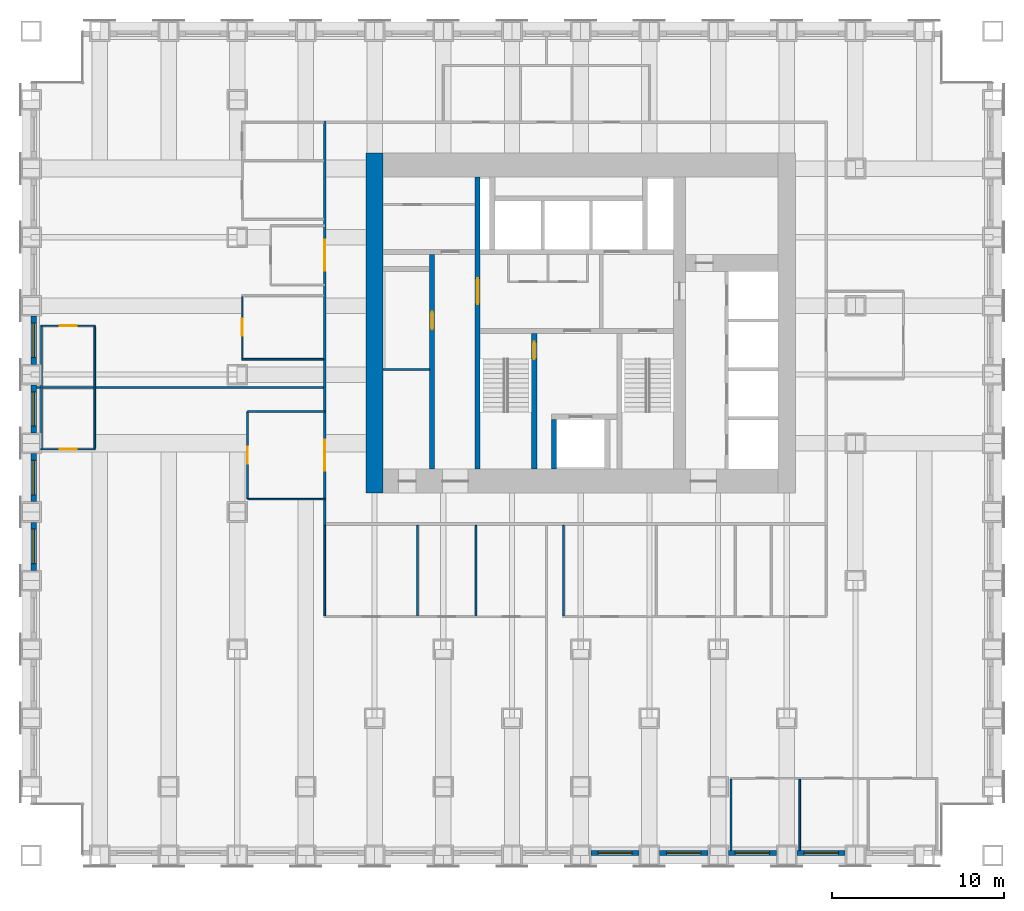
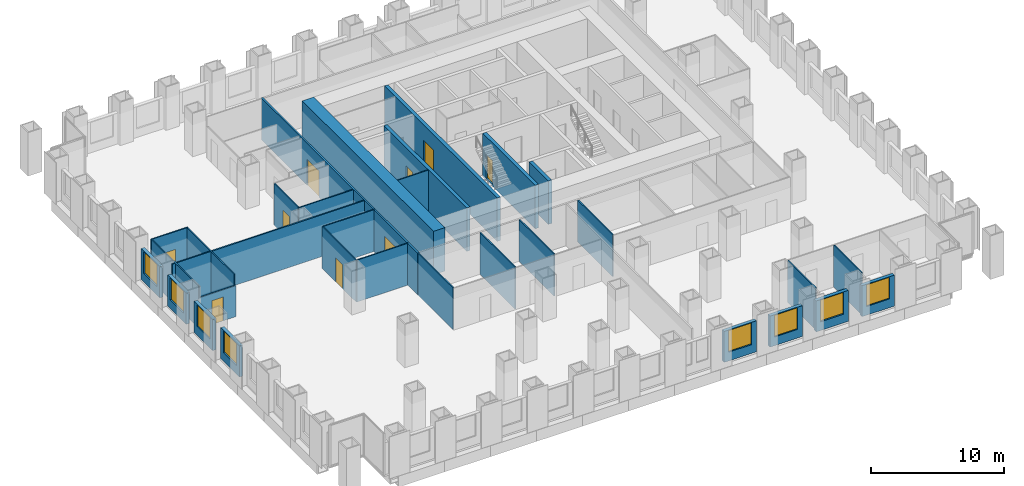
# One storey, part 9 of 15: 31 walls, 9 doors, 8 windows, 17 openings.
"""IFC4 building model written with IfcOpenShell, lengths in metres."""

import ifcopenshell
import ifcopenshell.guid

model = None  # the IFC model being written
_history = None  # IfcOwnerHistory: only IFC2X3 demands one
_inside = {}  # id of a spatial element -> (the spatial element, [elements in it])
_under = {}  # id of a project, library or spatial element -> (it, [spatial elements below it])
_declared = {}  # id of a project -> (the project, [libraries it declares])
_typed = {}  # id of a type object -> (the type object, [elements of that type])
_made_of = {}  # id of a material, layer set ... -> (it, [elements and type objects made of it])


def new_model(schema):
    """Start an empty IFC model of exactly this schema.

    Asked for "IFC4X3", IfcOpenShell would pick the latest addendum, in which some entities
    have other attributes; the version numbers below select the first issue.
    IFC2X3 requires an IfcOwnerHistory on every rooted entity: one is made here for all.
    """
    global model, _history
    if schema == "IFC4X3":
        model = ifcopenshell.file(schema_version=(4, 3, 0, 0))
    else:
        model = ifcopenshell.file(schema=schema)
    _inside.clear()
    _under.clear()
    _declared.clear()
    _typed.clear()
    _made_of.clear()
    _history = None
    if model.schema == "IFC2X3":
        org = make("IfcOrganization", Name="unknown")
        user = make(
            "IfcPersonAndOrganization",
            ThePerson=make("IfcPerson", FamilyName="unknown"),
            TheOrganization=org,
        )
        app = make(
            "IfcApplication",
            ApplicationDeveloper=org,
            Version="unknown",
            ApplicationFullName="unknown",
            ApplicationIdentifier="unknown",
        )
        _history = make(
            "IfcOwnerHistory",
            OwningUser=user,
            OwningApplication=app,
            ChangeAction="ADDED",
            CreationDate=0,
        )
    return model


def make(cls, **values):
    """One entity of the class cls with the attributes given. An attribute that is None is left unset."""
    return model.create_entity(
        cls, **{name: value for name, value in values.items() if value is not None}
    )


def rooted(cls, **values):
    """An entity with a GlobalId (a new one), such as an element, a storey or a relation."""
    return make(cls, GlobalId=ifcopenshell.guid.new(), OwnerHistory=_history, **values)


def si_unit(unit_type, name, prefix=None):
    """IfcSIUnit, for example si_unit("LENGTHUNIT", "METRE", prefix="MILLI")."""
    return make("IfcSIUnit", UnitType=unit_type, Prefix=prefix, Name=name)


def assignment(units):
    """IfcUnitAssignment: the units of a project."""
    return None if units is None else make("IfcUnitAssignment", Units=units)


def point(xyz):
    """IfcCartesianPoint."""
    return None if xyz is None else make("IfcCartesianPoint", Coordinates=xyz)


def direction(xyz):
    """IfcDirection."""
    return None if xyz is None else make("IfcDirection", DirectionRatios=xyz)


def frame(location, z_axis=None, x_axis=None):
    """IfcAxis2Placement3D, a coordinate frame: its origin and axes. An axis left out is left unset."""
    return make(
        "IfcAxis2Placement3D",
        Location=point(location),
        Axis=direction(z_axis),
        RefDirection=direction(x_axis),
    )


def frame_2d(location, x_axis=None):
    """IfcAxis2Placement2D, a coordinate frame in the plane: its origin and x axis."""
    return make(
        "IfcAxis2Placement2D", Location=point(location), RefDirection=direction(x_axis)
    )


def origin():
    """The frame at (0, 0, 0) with its axes left unset."""
    return frame((0.0, 0.0, 0.0))


def place(relative_to, where):
    """IfcLocalPlacement: puts the frame where relative to a parent placement (None: the world)."""
    return make(
        "IfcLocalPlacement", PlacementRelTo=relative_to, RelativePlacement=where
    )


def context(
    kind, dimensions, precision=None, world=None, true_north=None, identifier=None
):
    """IfcGeometricRepresentationContext, for example the 3D "Model" context."""
    return make(
        "IfcGeometricRepresentationContext",
        ContextIdentifier=identifier,
        ContextType=kind,
        CoordinateSpaceDimension=dimensions,
        Precision=precision,
        WorldCoordinateSystem=world,
        TrueNorth=true_north,
    )


def subcontext(parent, identifier, kind, view, scale=None):
    """IfcGeometricRepresentationSubContext, for example "Body" below "Model"."""
    return make(
        "IfcGeometricRepresentationSubContext",
        ContextIdentifier=identifier,
        ContextType=kind,
        ParentContext=parent,
        TargetScale=scale,
        TargetView=view,
    )


def project(units=None, contexts=None):
    """IfcProject with its units and contexts."""
    return rooted(
        "IfcProject",
        Name="project",
        RepresentationContexts=contexts,
        UnitsInContext=assignment(units),
    )


def spatial(cls, under=None, at=None, **own):
    """A site, building, storey or space (cls), placed at a placement, below another one or the project."""
    s = rooted(cls, ObjectPlacement=at, **own)
    if under is not None:
        _under.setdefault(under.id(), (under, []))[1].append(s)
    return s


def profile(cls, at=None, kind="AREA", **sizes):
    """A parametric profile (cls). Its sizes go by their IFC names, for example OverallWidth=200.0."""
    return make(cls, ProfileType=kind, Position=at, **sizes)


def rectangle(**sizes):
    """IfcRectangleProfileDef."""
    return profile("IfcRectangleProfileDef", **sizes)


def extrude(swept, where, along, depth):
    """IfcExtrudedAreaSolid: the profile swept, set in the frame where, extruded along a direction by depth."""
    return make(
        "IfcExtrudedAreaSolid",
        SweptArea=swept,
        Position=where,
        ExtrudedDirection=direction(along),
        Depth=depth,
    )


def shape(context_of_items, identifier, shape_type, items):
    """IfcShapeRepresentation: the items that make up one representation, for example the "Body"."""
    return make(
        "IfcShapeRepresentation",
        ContextOfItems=context_of_items,
        RepresentationIdentifier=identifier,
        RepresentationType=shape_type,
        Items=items,
    )


def material(Name=None, Category=None):
    """IfcMaterial."""
    return make("IfcMaterial", Name=Name, Category=Category)


def layer(
    of_material, thickness, ventilated=None, Name=None, Category=None, Priority=None
):
    """IfcMaterialLayer: one layer of a wall or slab, of a material (None: an air gap)."""
    return make(
        "IfcMaterialLayer",
        Material=of_material,
        LayerThickness=thickness,
        IsVentilated=ventilated,
        Name=Name,
        Category=Category,
        Priority=Priority,
    )


def layer_set(layers, Name=None):
    """IfcMaterialLayerSet."""
    return make("IfcMaterialLayerSet", MaterialLayers=layers, LayerSetName=Name)


def made_of(thing, what):
    """Note that an element or type object is made of a material, layer set ...; save() writes the relation."""
    if what is not None:
        _made_of.setdefault(what.id(), (what, []))[1].append(thing)
    return thing


def type_object(cls, material=None, **own):
    """A type object (cls), such as IfcWallType, which elements share."""
    return made_of(rooted(cls, **own), material)


def element(
    cls,
    number,
    at=None,
    inside=None,
    cuts=None,
    type_object=None,
    material=None,
    context=None,
    identifier="Body",
    shape_type=None,
    held_by="IfcProductDefinitionShape",
    body=None,
    shapes=None,
    **own,
):
    """One element of the class cls, such as IfcWall. Its Tag is "e" and its number.

    at: its placement. inside: the storey or other place that contains it. cuts: it is an
    opening in that element (IfcRelVoidsElement). A single representation is given by context,
    identifier, shape_type and body (its items); several are given by shapes. held_by: the class
    of the entity that holds the representations. save() writes the other relations.
    """
    e = rooted(cls, Tag="e%d" % number, ObjectPlacement=at, **own)
    if body is not None:
        shapes = [shape(context, identifier, shape_type, body)]
    if shapes is not None:
        e.Representation = make(held_by, Representations=shapes)
    if inside is not None:
        _inside.setdefault(inside.id(), (inside, []))[1].append(e)
    if cuts is not None:
        rooted(
            "IfcRelVoidsElement", RelatingBuildingElement=cuts, RelatedOpeningElement=e
        )
    if type_object is not None:
        _typed.setdefault(type_object.id(), (type_object, []))[1].append(e)
    return made_of(e, material)


def fill(opening, filler):
    """IfcRelFillsElement: the door or window that sits in an opening."""
    return rooted(
        "IfcRelFillsElement",
        RelatingOpeningElement=opening,
        RelatedBuildingElement=filler,
    )


def aggregate(whole, parts):
    """IfcRelAggregates: a whole, such as a stair, and the parts it consists of."""
    return rooted("IfcRelAggregates", RelatingObject=whole, RelatedObjects=parts)


def save(model, path):
    """Write the relations noted so far, then the file.

    IfcRelAggregates (storeys below a building ...), IfcRelContainedInSpatialStructure (elements
    in a storey), IfcRelDefinesByType, IfcRelAssociatesMaterial and IfcRelDeclares: one each for
    every whole, place, type object, material and project.
    """
    for whole, parts in _under.values():
        aggregate(whole, parts)
    for where, things in _inside.values():
        rooted(
            "IfcRelContainedInSpatialStructure",
            RelatedElements=things,
            RelatingStructure=where,
        )
    for kind, things in _typed.values():
        rooted("IfcRelDefinesByType", RelatedObjects=things, RelatingType=kind)
    for what, things in _made_of.values():
        rooted("IfcRelAssociatesMaterial", RelatedObjects=things, RelatingMaterial=what)
    for by, libraries in _declared.values():
        rooted("IfcRelDeclares", RelatingContext=by, RelatedDefinitions=libraries)
    model.write(path)


model = new_model("IFC4")

# Units and contexts
model_context = context("Model", 3, precision=1e-05, world=origin(), true_north=direction((0.0, 1.0)))
body_context = subcontext(model_context, "Body", "Model", "MODEL_VIEW")
ifc_project = project(units=[si_unit("LENGTHUNIT", "METRE"), si_unit("AREAUNIT", "SQUARE_METRE"), si_unit("VOLUMEUNIT", "CUBIC_METRE"), si_unit("PLANEANGLEUNIT", "RADIAN"), si_unit("MASSUNIT", "GRAM", prefix="KILO")], contexts=[model_context])

# Site, building, storey
site_placement = place(None, origin())
site = spatial("IfcSite", under=ifc_project, at=site_placement, CompositionType="ELEMENT")
building_placement = place(site_placement, origin())
building = spatial("IfcBuilding", under=site, at=building_placement, Name="Rimbunsela Tower", CompositionType="ELEMENT")
storey_placement = place(building_placement, frame((0.0, 0.0, 27.0)))
storey = spatial("IfcBuildingStorey", under=building, at=storey_placement, Name="L06", CompositionType="ELEMENT", Elevation=27.0)

# Wall, opening, door
ifc_material_1 = material(Name="Concrete fc' 80 MPa", Category="concrete")
ifc_layer_1 = layer(ifc_material_1, 0.300048828125)
ifc_layer_set_1 = layer_set([ifc_layer_1], Name="Core internal wall 300")
wall_type_1 = type_object("IfcWallType", Name="Core internal wall 300", PredefinedType="SHEAR", material=ifc_layer_set_1)
wall_1_placement = place(storey_placement, frame((24.0, 18.5, -0.14990234375), z_axis=(0.0, 0.0, 1.0), x_axis=(0.0, 1.0, 0.0)))
wall_1 = element("IfcWall", 1, at=wall_1_placement, inside=storey, type_object=wall_type_1, Name="Core wall at stair A", PredefinedType="SHEAR", context=body_context, shape_type="SweptSolid", body=[
    extrude(rectangle(XDim=17.0, YDim=0.300048828125, at=frame_2d((8.5, 0.0))), origin(), (0.0, 0.0, 1.0), 4.0),
])
opening_1_placement = place(wall_1_placement, frame((9.60009765625, 0.0, 0.14990234375)))
opening_1 = element("IfcOpeningElement", 2, at=opening_1_placement, cuts=wall_1, Name="Opening D03", PredefinedType="OPENING", context=body_context, shape_type="SweptSolid", body=[
    extrude(rectangle(XDim=1.5, YDim=2.39990234375, at=frame_2d((0.75, 1.199951171875))), frame((0.0, 0.159912109375, 0.0), z_axis=(0.0, -1.0, 0.0), x_axis=(1.0, 0.0, 0.0)), (0.0, 0.0, 1.0), 0.320068359375),
])
ifc_material_2 = material(Name="Steel door, fire rated", Category="steel")
door_type_1 = type_object("IfcDoorType", Name="Core lobby door 1500", OperationType="DOUBLE_DOOR_DOUBLE_SWING", PredefinedType="DOOR", material=ifc_material_2)
door_1_placement = place(opening_1_placement, origin())
door_1 = element("IfcDoor", 3, at=door_1_placement, inside=storey, type_object=door_type_1, Name="West lobby door", OperationType="DOUBLE_DOOR_DOUBLE_SWING", OverallHeight=2.39990234375, OverallWidth=1.5, PredefinedType="DOOR", context=body_context, shape_type="SweptSolid", body=[
    extrude(rectangle(XDim=1.5, YDim=2.39990234375, at=frame_2d((0.75, 1.199951171875))), frame((0.0, 0.02490234375, 0.0), z_axis=(0.0, -1.0, 0.0), x_axis=(1.0, 0.0, 0.0)), (0.0, 0.0, 1.0), 0.050048828125),
])
fill(opening_1, door_1)

wall_2_placement = place(storey_placement, frame((27.300048828125, 18.5, -0.14990234375), z_axis=(0.0, 0.0, 1.0), x_axis=(0.0, 1.0, 0.0)))
wall_2 = element("IfcWall", 4, at=wall_2_placement, inside=storey, type_object=wall_type_1, Name="Stair A enclosure", PredefinedType="SHEAR", context=body_context, shape_type="SweptSolid", body=[
    extrude(rectangle(XDim=7.89990234375, YDim=0.300048828125, at=frame_2d((3.949951171875, 0.0))), origin(), (0.0, 0.0, 1.0), 4.0),
])
opening_2_placement = place(wall_2_placement, frame((6.39990234375, 0.0, 0.14990234375)))
opening_2 = element("IfcOpeningElement", 5, at=opening_2_placement, cuts=wall_2, Name="Opening D01", PredefinedType="OPENING", context=body_context, shape_type="SweptSolid", body=[
    extrude(rectangle(XDim=1.0, YDim=2.199951171875, at=frame_2d((0.5, 1.10009765625))), frame((0.0, 0.159912109375, 0.0), z_axis=(0.0, -1.0, 0.0), x_axis=(1.0, 0.0, 0.0)), (0.0, 0.0, 1.0), 0.320068359375),
])
ifc_material_3 = material(Name="Steel door, fire rated", Category="steel")
door_type_2 = type_object("IfcDoorType", Name="Stair door 1000", OperationType="SINGLE_SWING_RIGHT", PredefinedType="DOOR", material=ifc_material_3)
door_2_placement = place(opening_2_placement, origin())
door_2 = element("IfcDoor", 6, at=door_2_placement, inside=storey, type_object=door_type_2, Name="Stair A door", OperationType="SINGLE_SWING_RIGHT", OverallHeight=2.199951171875, OverallWidth=1.0, PredefinedType="DOOR", context=body_context, shape_type="SweptSolid", body=[
    extrude(rectangle(XDim=1.0, YDim=2.199951171875, at=frame_2d((0.5, 1.10009765625))), frame((0.0, 0.02490234375, 0.0), z_axis=(0.0, -1.0, 0.0), x_axis=(1.0, 0.0, 0.0)), (0.0, 0.0, 1.0), 0.050048828125),
])
fill(opening_2, door_2)

# Wall
wall_3_placement = place(storey_placement, frame((28.449951171875, 18.5, -0.14990234375), z_axis=(0.0, 0.0, 1.0), x_axis=(0.0, 1.0, 0.0)))
element("IfcWall", 7, at=wall_3_placement, inside=storey, type_object=wall_type_1, Name="Firefighting lift shaft west", PredefinedType="SHEAR", context=body_context, shape_type="SweptSolid", body=[
    extrude(rectangle(XDim=2.89990234375, YDim=0.300048828125, at=frame_2d((1.449951171875, 0.0))), origin(), (0.0, 0.0, 1.0), 4.0),
])

# Wall, opening, door
wall_4_placement = place(storey_placement, frame((21.35009765625, 18.5, -0.14990234375), z_axis=(0.0, 0.0, 1.0), x_axis=(0.0, 1.0, 0.0)))
wall_4 = element("IfcWall", 8, at=wall_4_placement, inside=storey, type_object=wall_type_1, Name="Lift shaft front west", PredefinedType="SHEAR", context=body_context, shape_type="SweptSolid", body=[
    extrude(rectangle(XDim=12.5, YDim=0.300048828125, at=frame_2d((6.25, 0.0))), origin(), (0.0, 0.0, 1.0), 4.0),
])
opening_3_placement = place(wall_4_placement, frame((8.14990234375, 0.0, 0.14990234375)))
opening_3 = element("IfcOpeningElement", 9, at=opening_3_placement, cuts=wall_4, Name="Opening D19", PredefinedType="OPENING", context=body_context, shape_type="SweptSolid", body=[
    extrude(rectangle(XDim=1.0, YDim=2.199951171875, at=frame_2d((0.5, 1.10009765625))), frame((0.0, 0.159912109375, 0.0), z_axis=(0.0, -1.0, 0.0), x_axis=(1.0, 0.0, 0.0)), (0.0, 0.0, 1.0), 0.320068359375),
])
ifc_material_4 = material(Name="Steel door, fire rated", Category="steel")
door_type_3 = type_object("IfcDoorType", Name="Service door 1000 fire rated", OperationType="SINGLE_SWING_LEFT", PredefinedType="DOOR", material=ifc_material_4)
door_3_placement = place(opening_3_placement, origin())
door_3 = element("IfcDoor", 10, at=door_3_placement, inside=storey, type_object=door_type_3, Name="IT room door", OperationType="SINGLE_SWING_LEFT", OverallHeight=2.199951171875, OverallWidth=1.0, PredefinedType="DOOR", context=body_context, shape_type="SweptSolid", body=[
    extrude(rectangle(XDim=1.0, YDim=2.199951171875, at=frame_2d((0.5, 1.10009765625))), frame((0.0, 0.02490234375, 0.0), z_axis=(0.0, -1.0, 0.0), x_axis=(1.0, 0.0, 0.0)), (0.0, 0.0, 1.0), 0.050048828125),
])
fill(opening_3, door_3)

# Walls
ifc_material_5 = material(Name="Concrete blockwork", Category="masonry")
ifc_layer_2 = layer(ifc_material_5, 0.10009765625)
ifc_layer_set_2 = layer_set([ifc_layer_2], Name="Core room partition 100")
wall_type_2 = type_object("IfcWallType", Name="Core room partition 100", PredefinedType="PARTITIONING", material=ifc_layer_set_2)
wall_5_placement = place(storey_placement, frame((18.5, 24.300048828125, 0.0), z_axis=(0.0, 0.0, 1.0), x_axis=(1.0, 0.0, 0.0)))
element("IfcWall", 11, at=wall_5_placement, inside=storey, type_object=wall_type_2, Name="IT room wall", PredefinedType="PARTITIONING", context=body_context, shape_type="SweptSolid", body=[
    extrude(rectangle(XDim=2.699951171875, YDim=0.10009765625, at=frame_2d((1.35009765625, 0.0))), origin(), (0.0, 0.0, 1.0), 3.85009765625),
])
ifc_material_6 = material(Name="Concrete fc' 80 MPa", Category="concrete")
ifc_layer_3 = layer(ifc_material_6, 1.0)
ifc_layer_set_3 = layer_set([ifc_layer_3], Name="Core wall 1000")
wall_type_3 = type_object("IfcWallType", Name="Core wall 1000", PredefinedType="SHEAR", material=ifc_layer_set_3)
wall_6_placement = place(storey_placement, frame((18.0, 17.10009765625, -0.14990234375), z_axis=(0.0, 0.0, 1.0), x_axis=(0.0, 1.0, 0.0)))
element("IfcWall", 12, at=wall_6_placement, inside=storey, type_object=wall_type_3, Name="Core wall west", PredefinedType="SHEAR", context=body_context, shape_type="SweptSolid", body=[
    extrude(rectangle(XDim=19.7998046875, YDim=1.0, at=frame_2d((9.89990234375, 0.0))), origin(), (0.0, 0.0, 1.0), 4.0),
])

# Wall, opening, door
ifc_material_7 = material(Name="Gypsum board on steel studs", Category="steel")
ifc_layer_4 = layer(ifc_material_7, 0.10009765625)
ifc_layer_set_4 = layer_set([ifc_layer_4], Name="Office partition 100")
wall_type_4 = type_object("IfcWallType", Name="Office partition 100", PredefinedType="PARTITIONING", material=ifc_layer_set_4)
wall_7_placement = place(storey_placement, frame((-1.449951171875, 19.64990234375, 0.0), z_axis=(0.0, 0.0, 1.0), x_axis=(1.0, 0.0, 0.0)))
wall_7 = element("IfcWall", 13, at=wall_7_placement, inside=storey, type_object=wall_type_4, Name="Office partition", PredefinedType="PARTITIONING", context=body_context, shape_type="SweptSolid", body=[
    extrude(rectangle(XDim=3.199951171875, YDim=0.10009765625, at=frame_2d((1.60009765625, 0.0))), origin(), (0.0, 0.0, 1.0), 2.85009765625),
])
opening_4_placement = place(wall_7_placement, frame((1.10009765625, 0.0, 0.0)))
opening_4 = element("IfcOpeningElement", 14, at=opening_4_placement, cuts=wall_7, Name="Opening D16", PredefinedType="OPENING", context=body_context, shape_type="SweptSolid", body=[
    extrude(rectangle(XDim=1.0, YDim=2.199951171875, at=frame_2d((0.5, 1.10009765625))), frame((0.0, 0.06005859375, 0.0), z_axis=(0.0, -1.0, 0.0), x_axis=(1.0, 0.0, 0.0)), (0.0, 0.0, 1.0), 0.1201171875),
])
ifc_material_8 = material(Name="Timber door", Category="wood")
door_type_4 = type_object("IfcDoorType", Name="Office door 1000", OperationType="SINGLE_SWING_LEFT", PredefinedType="DOOR", material=ifc_material_8)
door_4_placement = place(opening_4_placement, origin())
door_4 = element("IfcDoor", 15, at=door_4_placement, inside=storey, type_object=door_type_4, Name="Office door", OperationType="SINGLE_SWING_LEFT", OverallHeight=2.199951171875, OverallWidth=1.0, PredefinedType="DOOR", context=body_context, shape_type="SweptSolid", body=[
    extrude(rectangle(XDim=1.0, YDim=2.199951171875, at=frame_2d((0.5, 1.10009765625))), frame((0.0, 0.02490234375, 0.0), z_axis=(0.0, -1.0, 0.0), x_axis=(1.0, 0.0, 0.0)), (0.0, 0.0, 1.0), 0.050048828125),
])
fill(opening_4, door_4)

# Wall
wall_8_placement = place(storey_placement, frame((10.25, 24.89990234375, 0.0), z_axis=(0.0, 0.0, 1.0), x_axis=(1.0, 0.0, 0.0)))
element("IfcWall", 16, at=wall_8_placement, inside=storey, type_object=wall_type_4, Name="Office partition", PredefinedType="PARTITIONING", context=body_context, shape_type="SweptSolid", body=[
    extrude(rectangle(XDim=4.77490234375, YDim=0.10009765625, at=frame_2d((2.387451171875, 0.0))), origin(), (0.0, 0.0, 1.0), 3.85009765625),
])

# Wall, opening, door
wall_9_placement = place(storey_placement, frame((-1.449951171875, 26.85009765625, 0.0), z_axis=(0.0, 0.0, 1.0), x_axis=(1.0, 0.0, 0.0)))
wall_9 = element("IfcWall", 17, at=wall_9_placement, inside=storey, type_object=wall_type_4, Name="Office partition", PredefinedType="PARTITIONING", context=body_context, shape_type="SweptSolid", body=[
    extrude(rectangle(XDim=3.199951171875, YDim=0.10009765625, at=frame_2d((1.60009765625, 0.0))), origin(), (0.0, 0.0, 1.0), 3.85009765625),
])
opening_5_placement = place(wall_9_placement, frame((1.10009765625, 0.0, 0.0)))
opening_5 = element("IfcOpeningElement", 18, at=opening_5_placement, cuts=wall_9, Name="Opening D16", PredefinedType="OPENING", context=body_context, shape_type="SweptSolid", body=[
    extrude(rectangle(XDim=1.0, YDim=2.199951171875, at=frame_2d((0.5, 1.10009765625))), frame((0.0, 0.06005859375, 0.0), z_axis=(0.0, -1.0, 0.0), x_axis=(1.0, 0.0, 0.0)), (0.0, 0.0, 1.0), 0.1201171875),
])
door_5_placement = place(opening_5_placement, origin())
door_5 = element("IfcDoor", 19, at=door_5_placement, inside=storey, type_object=door_type_4, Name="Office door", OperationType="SINGLE_SWING_LEFT", OverallHeight=2.199951171875, OverallWidth=1.0, PredefinedType="DOOR", context=body_context, shape_type="SweptSolid", body=[
    extrude(rectangle(XDim=1.0, YDim=2.199951171875, at=frame_2d((0.5, 1.10009765625))), frame((0.0, 0.02490234375, 0.0), z_axis=(0.0, -1.0, 0.0), x_axis=(1.0, 0.0, 0.0)), (0.0, 0.0, 1.0), 0.050048828125),
])
fill(opening_5, door_5)

# Walls
for number, where, z_axis, x_axis, name in (
    (20, (-1.39990234375, 19.699951171875, 0.0), (0.0, 0.0, 1.0), (0.0, 1.0, 0.0), "Office partition"),
    (21, (1.699951171875, 19.699951171875, 0.0), (0.0, 0.0, 1.0), (0.0, 1.0, 0.0), "Office partition"),
):
    element("IfcWall", number, at=place(storey_placement, frame(where, z_axis=z_axis, x_axis=x_axis)), inside=storey, type_object=wall_type_4, Name=name, PredefinedType="PARTITIONING", context=body_context, shape_type="SweptSolid", body=[
        extrude(rectangle(XDim=7.10009765625, YDim=0.10009765625, at=frame_2d((3.550048828125, 0.0))), origin(), (0.0, 0.0, 1.0), 3.85009765625),
    ])

# Wall, opening, door
wall_10_placement = place(storey_placement, frame((10.300048828125, 24.949951171875, 0.0), z_axis=(0.0, 0.0, 1.0), x_axis=(0.0, 1.0, 0.0)))
wall_10 = element("IfcWall", 22, at=wall_10_placement, inside=storey, type_object=wall_type_4, Name="Office partition", PredefinedType="PARTITIONING", context=body_context, shape_type="SweptSolid", body=[
    extrude(rectangle(XDim=3.60009765625, YDim=0.10009765625, at=frame_2d((1.800048828125, 0.0))), origin(), (0.0, 0.0, 1.0), 3.85009765625),
])
opening_6_placement = place(wall_10_placement, frame((1.300048828125, 0.0, 0.0)))
opening_6 = element("IfcOpeningElement", 23, at=opening_6_placement, cuts=wall_10, Name="Opening D17", PredefinedType="OPENING", context=body_context, shape_type="SweptSolid", body=[
    extrude(rectangle(XDim=1.0, YDim=2.199951171875, at=frame_2d((0.5, 1.10009765625))), frame((0.0, 0.06005859375, 0.0), z_axis=(0.0, -1.0, 0.0), x_axis=(1.0, 0.0, 0.0)), (0.0, 0.0, 1.0), 0.1201171875),
])
ifc_material_9 = material(Name="Glazed aluminium door", Category="aluminium")
door_type_5 = type_object("IfcDoorType", Name="Meeting room door 1000 glazed", OperationType="SINGLE_SWING_RIGHT", PredefinedType="DOOR", material=ifc_material_9)
door_6_placement = place(opening_6_placement, origin())
door_6 = element("IfcDoor", 24, at=door_6_placement, inside=storey, type_object=door_type_5, Name="Meeting room door", OperationType="SINGLE_SWING_RIGHT", OverallHeight=2.199951171875, OverallWidth=1.0, PredefinedType="DOOR", context=body_context, shape_type="SweptSolid", body=[
    extrude(rectangle(XDim=1.0, YDim=2.199951171875, at=frame_2d((0.5, 1.10009765625))), frame((0.0, 0.02490234375, 0.0), z_axis=(0.0, -1.0, 0.0), x_axis=(1.0, 0.0, 0.0)), (0.0, 0.0, 1.0), 0.050048828125),
])
fill(opening_6, door_6)

# Walls
for number, where, z_axis, x_axis, name in (
    (25, (15.10009765625, 9.949951171875, 0.0), (0.0, 0.0, 1.0), (0.0, 1.0, 0.0), "Office partition"),
    (26, (20.5, 9.949951171875, 0.0), (0.0, 0.0, 1.0), (0.0, 1.0, 0.0), "Office partition"),
    (27, (23.89990234375, 9.949951171875, 0.0), (0.0, 0.0, 1.0), (0.0, 1.0, 0.0), "Office partition"),
    (28, (28.9990234375, 9.949951171875, 0.0), (0.0, 0.0, 1.0), (0.0, 1.0, 0.0), "Office partition"),
):
    element("IfcWall", number, at=place(storey_placement, frame(where, z_axis=z_axis, x_axis=x_axis)), inside=storey, type_object=wall_type_4, Name=name, PredefinedType="PARTITIONING", context=body_context, shape_type="SweptSolid", body=[
        extrude(rectangle(XDim=5.275146484375, YDim=0.10009765625, at=frame_2d((2.6376953125, 0.0))), origin(), (0.0, 0.0, 1.0), 3.85009765625),
    ])
for number, where, z_axis, x_axis, name in (
    (29, (38.75, -3.699951171875, 0.0), (0.0, 0.0, 1.0), (0.0, 1.0, 0.0), "Office partition"),
    (30, (42.75, -3.699951171875, 0.0), (0.0, 0.0, 1.0), (0.0, 1.0, 0.0), "Office partition"),
):
    element("IfcWall", number, at=place(storey_placement, frame(where, z_axis=z_axis, x_axis=x_axis)), inside=storey, type_object=wall_type_4, Name=name, PredefinedType="PARTITIONING", context=body_context, shape_type="SweptSolid", body=[
        extrude(rectangle(XDim=4.14990234375, YDim=0.10009765625, at=frame_2d((2.074951171875, 0.0))), origin(), (0.0, 0.0, 1.0), 3.85009765625),
    ])
wall_11_placement = place(storey_placement, frame((15.10009765625, 21.85009765625, 0.0), z_axis=(0.0, 0.0, 1.0), x_axis=(-1.0, 0.0, 0.0)))
element("IfcWall", 31, at=wall_11_placement, inside=storey, type_object=wall_type_4, Name="Office partition", PredefinedType="PARTITIONING", context=body_context, shape_type="SweptSolid", body=[
    extrude(rectangle(XDim=4.5, YDim=0.10009765625, at=frame_2d((2.25, 0.0))), origin(), (0.0, 0.0, 1.0), 3.85009765625),
])

# Wall, opening, door
wall_12_placement = place(storey_placement, frame((10.60009765625, 21.85009765625, 0.0), z_axis=(0.0, 0.0, 1.0), x_axis=(0.0, -1.0, 0.0)))
wall_12 = element("IfcWall", 32, at=wall_12_placement, inside=storey, type_object=wall_type_4, Name="Office partition", PredefinedType="PARTITIONING", context=body_context, shape_type="SweptSolid", body=[
    extrude(rectangle(XDim=5.10009765625, YDim=0.10009765625, at=frame_2d((2.550048828125, 0.0))), origin(), (0.0, 0.0, 1.0), 3.85009765625),
])
opening_7_placement = place(wall_12_placement, frame((2.050048828125, 0.0, 0.0)))
opening_7 = element("IfcOpeningElement", 33, at=opening_7_placement, cuts=wall_12, Name="Opening D17", PredefinedType="OPENING", context=body_context, shape_type="SweptSolid", body=[
    extrude(rectangle(XDim=1.0, YDim=2.199951171875, at=frame_2d((0.5, 1.10009765625))), frame((0.0, 0.06005859375, 0.0), z_axis=(0.0, -1.0, 0.0), x_axis=(1.0, 0.0, 0.0)), (0.0, 0.0, 1.0), 0.1201171875),
])
door_7_placement = place(opening_7_placement, origin())
door_7 = element("IfcDoor", 34, at=door_7_placement, inside=storey, type_object=door_type_5, Name="Reception door", OperationType="SINGLE_SWING_RIGHT", OverallHeight=2.199951171875, OverallWidth=1.0, PredefinedType="DOOR", context=body_context, shape_type="SweptSolid", body=[
    extrude(rectangle(XDim=1.0, YDim=2.199951171875, at=frame_2d((0.5, 1.10009765625))), frame((0.0, 0.02490234375, 0.0), z_axis=(0.0, -1.0, 0.0), x_axis=(1.0, 0.0, 0.0)), (0.0, 0.0, 1.0), 0.050048828125),
])
fill(opening_7, door_7)

# Wall
wall_13_placement = place(storey_placement, frame((10.60009765625, 16.75, 0.0), z_axis=(0.0, 0.0, 1.0), x_axis=(1.0, 0.0, 0.0)))
element("IfcWall", 35, at=wall_13_placement, inside=storey, type_object=wall_type_4, Name="Office partition", PredefinedType="PARTITIONING", context=body_context, shape_type="SweptSolid", body=[
    extrude(rectangle(XDim=4.5, YDim=0.10009765625, at=frame_2d((2.25, 0.0))), origin(), (0.0, 0.0, 1.0), 3.85009765625),
])

# Wall, opening, window
ifc_material_10 = material(Name="Precast concrete fc' 35 MPa", Category="concrete")
ifc_layer_5 = layer(ifc_material_10, 0.300048828125)
ifc_layer_set_5 = layer_set([ifc_layer_5], Name="Precast concrete fc' 35 MPa")
wall_type_5 = type_object("IfcWallType", Name="Precast facade panel 300", PredefinedType="ELEMENTEDWALL", material=ifc_layer_set_5)
wall_14_placement = place(storey_placement, frame((30.60009765625, -3.85009765625, 0.0), z_axis=(0.0, 0.0, 1.0), x_axis=(1.0, 0.0, 0.0)))
wall_14 = element("IfcWall", 36, at=wall_14_placement, inside=storey, type_object=wall_type_5, Name="Facade panel S L06", PredefinedType="ELEMENTEDWALL", context=body_context, shape_type="SweptSolid", body=[
    extrude(rectangle(XDim=2.7998046875, YDim=0.300048828125, at=frame_2d((1.39990234375, 0.0))), origin(), (0.0, 0.0, 1.0), 2.85009765625),
])
opening_8_placement = place(wall_14_placement, frame((0.39990234375, 0.0, 0.800048828125)))
opening_8 = element("IfcOpeningElement", 37, at=opening_8_placement, cuts=wall_14, Name="Opening W1", PredefinedType="OPENING", context=body_context, shape_type="SweptSolid", body=[
    extrude(rectangle(XDim=2.0, YDim=2.0, at=frame_2d((1.0, 1.0))), frame((0.0, 0.159912109375, 0.0), z_axis=(0.0, -1.0, 0.0), x_axis=(1.0, 0.0, 0.0)), (0.0, 0.0, 1.0), 0.320068359375),
])
ifc_material_11 = material(Name="Clear glass in aluminium frame", Category="aluminium")
window_type = type_object("IfcWindowType", Name="Window W1 2000x2000", PartitioningType="DOUBLE_PANEL_VERTICAL", PredefinedType="WINDOW", material=ifc_material_11)
window_1_placement = place(opening_8_placement, origin())
window_1 = element("IfcWindow", 38, at=window_1_placement, inside=storey, type_object=window_type, Name="Window L06", OverallHeight=2.0, OverallWidth=2.0, PartitioningType="SINGLE_PANEL", PredefinedType="WINDOW", context=body_context, shape_type="SweptSolid", body=[
    extrude(rectangle(XDim=2.0, YDim=2.0, at=frame_2d((1.0, 1.0))), frame((0.0, 0.030029296875, 0.0), z_axis=(0.0, -1.0, 0.0), x_axis=(1.0, 0.0, 0.0)), (0.0, 0.0, 1.0), 0.06005859375),
])
fill(opening_8, window_1)

wall_15_placement = place(storey_placement, frame((34.60009765625, -3.85009765625, 0.0), z_axis=(0.0, 0.0, 1.0), x_axis=(1.0, 0.0, 0.0)))
wall_15 = element("IfcWall", 39, at=wall_15_placement, inside=storey, type_object=wall_type_5, Name="Facade panel S L06", PredefinedType="ELEMENTEDWALL", context=body_context, shape_type="SweptSolid", body=[
    extrude(rectangle(XDim=2.7998046875, YDim=0.300048828125, at=frame_2d((1.39990234375, 0.0))), origin(), (0.0, 0.0, 1.0), 2.85009765625),
])
opening_9_placement = place(wall_15_placement, frame((0.39990234375, 0.0, 0.800048828125)))
opening_9 = element("IfcOpeningElement", 40, at=opening_9_placement, cuts=wall_15, Name="Opening W1", PredefinedType="OPENING", context=body_context, shape_type="SweptSolid", body=[
    extrude(rectangle(XDim=2.0, YDim=2.0, at=frame_2d((1.0, 1.0))), frame((0.0, 0.159912109375, 0.0), z_axis=(0.0, -1.0, 0.0), x_axis=(1.0, 0.0, 0.0)), (0.0, 0.0, 1.0), 0.320068359375),
])
window_2_placement = place(opening_9_placement, origin())
window_2 = element("IfcWindow", 41, at=window_2_placement, inside=storey, type_object=window_type, Name="Window L06", OverallHeight=2.0, OverallWidth=2.0, PartitioningType="SINGLE_PANEL", PredefinedType="WINDOW", context=body_context, shape_type="SweptSolid", body=[
    extrude(rectangle(XDim=2.0, YDim=2.0, at=frame_2d((1.0, 1.0))), frame((0.0, 0.030029296875, 0.0), z_axis=(0.0, -1.0, 0.0), x_axis=(1.0, 0.0, 0.0)), (0.0, 0.0, 1.0), 0.06005859375),
])
fill(opening_9, window_2)

wall_16_placement = place(storey_placement, frame((38.60009765625, -3.85009765625, 0.0), z_axis=(0.0, 0.0, 1.0), x_axis=(1.0, 0.0, 0.0)))
wall_16 = element("IfcWall", 42, at=wall_16_placement, inside=storey, type_object=wall_type_5, Name="Facade panel S L06", PredefinedType="ELEMENTEDWALL", context=body_context, shape_type="SweptSolid", body=[
    extrude(rectangle(XDim=2.7998046875, YDim=0.300048828125, at=frame_2d((1.39990234375, 0.0))), origin(), (0.0, 0.0, 1.0), 2.85009765625),
])
opening_10_placement = place(wall_16_placement, frame((0.39990234375, 0.0, 0.800048828125)))
opening_10 = element("IfcOpeningElement", 43, at=opening_10_placement, cuts=wall_16, Name="Opening W1", PredefinedType="OPENING", context=body_context, shape_type="SweptSolid", body=[
    extrude(rectangle(XDim=2.0, YDim=2.0, at=frame_2d((1.0, 1.0))), frame((0.0, 0.159912109375, 0.0), z_axis=(0.0, -1.0, 0.0), x_axis=(1.0, 0.0, 0.0)), (0.0, 0.0, 1.0), 0.320068359375),
])
window_3_placement = place(opening_10_placement, origin())
window_3 = element("IfcWindow", 44, at=window_3_placement, inside=storey, type_object=window_type, Name="Window L06", OverallHeight=2.0, OverallWidth=2.0, PartitioningType="SINGLE_PANEL", PredefinedType="WINDOW", context=body_context, shape_type="SweptSolid", body=[
    extrude(rectangle(XDim=2.0, YDim=2.0, at=frame_2d((1.0, 1.0))), frame((0.0, 0.030029296875, 0.0), z_axis=(0.0, -1.0, 0.0), x_axis=(1.0, 0.0, 0.0)), (0.0, 0.0, 1.0), 0.06005859375),
])
fill(opening_10, window_3)

wall_17_placement = place(storey_placement, frame((42.60009765625, -3.85009765625, 0.0), z_axis=(0.0, 0.0, 1.0), x_axis=(1.0, 0.0, 0.0)))
wall_17 = element("IfcWall", 45, at=wall_17_placement, inside=storey, type_object=wall_type_5, Name="Facade panel S L06", PredefinedType="ELEMENTEDWALL", context=body_context, shape_type="SweptSolid", body=[
    extrude(rectangle(XDim=2.7998046875, YDim=0.300048828125, at=frame_2d((1.39990234375, 0.0))), origin(), (0.0, 0.0, 1.0), 2.85009765625),
])
opening_11_placement = place(wall_17_placement, frame((0.39990234375, 0.0, 0.800048828125)))
opening_11 = element("IfcOpeningElement", 46, at=opening_11_placement, cuts=wall_17, Name="Opening W1", PredefinedType="OPENING", context=body_context, shape_type="SweptSolid", body=[
    extrude(rectangle(XDim=2.0, YDim=2.0, at=frame_2d((1.0, 1.0))), frame((0.0, 0.159912109375, 0.0), z_axis=(0.0, -1.0, 0.0), x_axis=(1.0, 0.0, 0.0)), (0.0, 0.0, 1.0), 0.320068359375),
])
window_4_placement = place(opening_11_placement, origin())
window_4 = element("IfcWindow", 47, at=window_4_placement, inside=storey, type_object=window_type, Name="Window L06", OverallHeight=2.0, OverallWidth=2.0, PartitioningType="SINGLE_PANEL", PredefinedType="WINDOW", context=body_context, shape_type="SweptSolid", body=[
    extrude(rectangle(XDim=2.0, YDim=2.0, at=frame_2d((1.0, 1.0))), frame((0.0, 0.030029296875, 0.0), z_axis=(0.0, -1.0, 0.0), x_axis=(1.0, 0.0, 0.0)), (0.0, 0.0, 1.0), 0.06005859375),
])
fill(opening_11, window_4)

wall_18_placement = place(storey_placement, frame((-1.85009765625, 15.39990234375, 0.0), z_axis=(0.0, 0.0, 1.0), x_axis=(0.0, -1.0, 0.0)))
wall_18 = element("IfcWall", 48, at=wall_18_placement, inside=storey, type_object=wall_type_5, Name="Facade panel W L06", PredefinedType="ELEMENTEDWALL", context=body_context, shape_type="SweptSolid", body=[
    extrude(rectangle(XDim=2.7998046875, YDim=0.300048828125, at=frame_2d((1.39990234375, 0.0))), origin(), (0.0, 0.0, 1.0), 2.85009765625),
])
opening_12_placement = place(wall_18_placement, frame((0.39990234375, 0.0, 0.800048828125)))
opening_12 = element("IfcOpeningElement", 49, at=opening_12_placement, cuts=wall_18, Name="Opening W1", PredefinedType="OPENING", context=body_context, shape_type="SweptSolid", body=[
    extrude(rectangle(XDim=2.0, YDim=2.0, at=frame_2d((1.0, 1.0))), frame((0.0, 0.159912109375, 0.0), z_axis=(0.0, -1.0, 0.0), x_axis=(1.0, 0.0, 0.0)), (0.0, 0.0, 1.0), 0.320068359375),
])
window_5_placement = place(opening_12_placement, origin())
window_5 = element("IfcWindow", 50, at=window_5_placement, inside=storey, type_object=window_type, Name="Window L06", OverallHeight=2.0, OverallWidth=2.0, PartitioningType="SINGLE_PANEL", PredefinedType="WINDOW", context=body_context, shape_type="SweptSolid", body=[
    extrude(rectangle(XDim=2.0, YDim=2.0, at=frame_2d((1.0, 1.0))), frame((0.0, 0.030029296875, 0.0), z_axis=(0.0, -1.0, 0.0), x_axis=(1.0, 0.0, 0.0)), (0.0, 0.0, 1.0), 0.06005859375),
])
fill(opening_12, window_5)

wall_19_placement = place(storey_placement, frame((-1.85009765625, 19.39990234375, 0.0), z_axis=(0.0, 0.0, 1.0), x_axis=(0.0, -1.0, 0.0)))
wall_19 = element("IfcWall", 51, at=wall_19_placement, inside=storey, type_object=wall_type_5, Name="Facade panel W L06", PredefinedType="ELEMENTEDWALL", context=body_context, shape_type="SweptSolid", body=[
    extrude(rectangle(XDim=2.7998046875, YDim=0.300048828125, at=frame_2d((1.39990234375, 0.0))), origin(), (0.0, 0.0, 1.0), 2.85009765625),
])
opening_13_placement = place(wall_19_placement, frame((0.39990234375, 0.0, 0.800048828125)))
opening_13 = element("IfcOpeningElement", 52, at=opening_13_placement, cuts=wall_19, Name="Opening W1", PredefinedType="OPENING", context=body_context, shape_type="SweptSolid", body=[
    extrude(rectangle(XDim=2.0, YDim=2.0, at=frame_2d((1.0, 1.0))), frame((0.0, 0.159912109375, 0.0), z_axis=(0.0, -1.0, 0.0), x_axis=(1.0, 0.0, 0.0)), (0.0, 0.0, 1.0), 0.320068359375),
])
window_6_placement = place(opening_13_placement, origin())
window_6 = element("IfcWindow", 53, at=window_6_placement, inside=storey, type_object=window_type, Name="Window L06", OverallHeight=2.0, OverallWidth=2.0, PartitioningType="SINGLE_PANEL", PredefinedType="WINDOW", context=body_context, shape_type="SweptSolid", body=[
    extrude(rectangle(XDim=2.0, YDim=2.0, at=frame_2d((1.0, 1.0))), frame((0.0, 0.030029296875, 0.0), z_axis=(0.0, -1.0, 0.0), x_axis=(1.0, 0.0, 0.0)), (0.0, 0.0, 1.0), 0.06005859375),
])
fill(opening_13, window_6)

wall_20_placement = place(storey_placement, frame((-1.85009765625, 23.39990234375, 0.0), z_axis=(0.0, 0.0, 1.0), x_axis=(0.0, -1.0, 0.0)))
wall_20 = element("IfcWall", 54, at=wall_20_placement, inside=storey, type_object=wall_type_5, Name="Facade panel W L06", PredefinedType="ELEMENTEDWALL", context=body_context, shape_type="SweptSolid", body=[
    extrude(rectangle(XDim=2.7998046875, YDim=0.300048828125, at=frame_2d((1.39990234375, 0.0))), origin(), (0.0, 0.0, 1.0), 2.85009765625),
])
opening_14_placement = place(wall_20_placement, frame((0.39990234375, 0.0, 0.800048828125)))
opening_14 = element("IfcOpeningElement", 55, at=opening_14_placement, cuts=wall_20, Name="Opening W1", PredefinedType="OPENING", context=body_context, shape_type="SweptSolid", body=[
    extrude(rectangle(XDim=2.0, YDim=2.0, at=frame_2d((1.0, 1.0))), frame((0.0, 0.159912109375, 0.0), z_axis=(0.0, -1.0, 0.0), x_axis=(1.0, 0.0, 0.0)), (0.0, 0.0, 1.0), 0.320068359375),
])
window_7_placement = place(opening_14_placement, origin())
window_7 = element("IfcWindow", 56, at=window_7_placement, inside=storey, type_object=window_type, Name="Window L06", OverallHeight=2.0, OverallWidth=2.0, PartitioningType="SINGLE_PANEL", PredefinedType="WINDOW", context=body_context, shape_type="SweptSolid", body=[
    extrude(rectangle(XDim=2.0, YDim=2.0, at=frame_2d((1.0, 1.0))), frame((0.0, 0.030029296875, 0.0), z_axis=(0.0, -1.0, 0.0), x_axis=(1.0, 0.0, 0.0)), (0.0, 0.0, 1.0), 0.06005859375),
])
fill(opening_14, window_7)

wall_21_placement = place(storey_placement, frame((-1.85009765625, 27.39990234375, 0.0), z_axis=(0.0, 0.0, 1.0), x_axis=(0.0, -1.0, 0.0)))
wall_21 = element("IfcWall", 57, at=wall_21_placement, inside=storey, type_object=wall_type_5, Name="Facade panel W L06", PredefinedType="ELEMENTEDWALL", context=body_context, shape_type="SweptSolid", body=[
    extrude(rectangle(XDim=2.7998046875, YDim=0.300048828125, at=frame_2d((1.39990234375, 0.0))), origin(), (0.0, 0.0, 1.0), 2.85009765625),
])
opening_15_placement = place(wall_21_placement, frame((0.39990234375, 0.0, 0.800048828125)))
opening_15 = element("IfcOpeningElement", 58, at=opening_15_placement, cuts=wall_21, Name="Opening W1", PredefinedType="OPENING", context=body_context, shape_type="SweptSolid", body=[
    extrude(rectangle(XDim=2.0, YDim=2.0, at=frame_2d((1.0, 1.0))), frame((0.0, 0.159912109375, 0.0), z_axis=(0.0, -1.0, 0.0), x_axis=(1.0, 0.0, 0.0)), (0.0, 0.0, 1.0), 0.320068359375),
])
window_8_placement = place(opening_15_placement, origin())
window_8 = element("IfcWindow", 59, at=window_8_placement, inside=storey, type_object=window_type, Name="Window L06", OverallHeight=2.0, OverallWidth=2.0, PartitioningType="SINGLE_PANEL", PredefinedType="WINDOW", context=body_context, shape_type="SweptSolid", body=[
    extrude(rectangle(XDim=2.0, YDim=2.0, at=frame_2d((1.0, 1.0))), frame((0.0, 0.030029296875, 0.0), z_axis=(0.0, -1.0, 0.0), x_axis=(1.0, 0.0, 0.0)), (0.0, 0.0, 1.0), 0.06005859375),
])
fill(opening_15, window_8)

# Wall, openings, doors
ifc_material_12 = material(Name="Fire-rated gypsum board on steel studs, EI 60", Category="steel")
ifc_layer_6 = layer(ifc_material_12, 0.14990234375)
ifc_layer_set_6 = layer_set([ifc_layer_6], Name="Rated corridor wall 150")
wall_type_6 = type_object("IfcWallType", Name="Rated corridor wall 150", PredefinedType="PARTITIONING", material=ifc_layer_set_6)
wall_22_placement = place(storey_placement, frame((15.10009765625, 15.22509765625, 0.0), z_axis=(0.0, 0.0, 1.0), x_axis=(0.0, 1.0, 0.0)))
wall_22 = element("IfcWall", 60, at=wall_22_placement, inside=storey, type_object=wall_type_6, Name="Corridor wall west", PredefinedType="PARTITIONING", context=body_context, shape_type="SweptSolid", body=[
    extrude(rectangle(XDim=23.5498046875, YDim=0.14990234375, at=frame_2d((11.77490234375, 0.0))), origin(), (0.0, 0.0, 1.0), 3.85009765625),
])
opening_16_placement = place(wall_22_placement, frame((3.175048828125, 0.0, 0.0)))
opening_16 = element("IfcOpeningElement", 61, at=opening_16_placement, cuts=wall_22, Name="Opening D09", PredefinedType="OPENING", context=body_context, shape_type="SweptSolid", body=[
    extrude(rectangle(XDim=1.800048828125, YDim=2.39990234375, at=frame_2d((0.89990234375, 1.199951171875))), frame((0.0, 0.0849609375, 0.0), z_axis=(0.0, -1.0, 0.0), x_axis=(1.0, 0.0, 0.0)), (0.0, 0.0, 1.0), 0.169921875),
])
opening_17_placement = place(wall_22_placement, frame((14.824951171875, 0.0, 0.0)))
opening_17 = element("IfcOpeningElement", 62, at=opening_17_placement, cuts=wall_22, Name="Opening D09", PredefinedType="OPENING", context=body_context, shape_type="SweptSolid", body=[
    extrude(rectangle(XDim=1.800048828125, YDim=2.39990234375, at=frame_2d((0.89990234375, 1.199951171875))), frame((0.0, 0.0849609375, 0.0), z_axis=(0.0, -1.0, 0.0), x_axis=(1.0, 0.0, 0.0)), (0.0, 0.0, 1.0), 0.169921875),
])
ifc_material_13 = material(Name="Glazed aluminium door, fire rated", Category="aluminium")
door_type_6 = type_object("IfcDoorType", Name="Tenancy door 1800 glazed", OperationType="DOUBLE_DOOR_DOUBLE_SWING", PredefinedType="DOOR", material=ifc_material_13)
door_8_placement = place(opening_16_placement, origin())
door_8 = element("IfcDoor", 63, at=door_8_placement, inside=storey, type_object=door_type_6, Name="Tenancy door", OperationType="DOUBLE_DOOR_DOUBLE_SWING", OverallHeight=2.39990234375, OverallWidth=1.800048828125, PredefinedType="DOOR", context=body_context, shape_type="SweptSolid", body=[
    extrude(rectangle(XDim=1.800048828125, YDim=2.39990234375, at=frame_2d((0.89990234375, 1.199951171875))), frame((0.0, 0.02490234375, 0.0), z_axis=(0.0, -1.0, 0.0), x_axis=(1.0, 0.0, 0.0)), (0.0, 0.0, 1.0), 0.050048828125),
])
fill(opening_16, door_8)
door_9_placement = place(opening_17_placement, origin())
door_9 = element("IfcDoor", 64, at=door_9_placement, inside=storey, type_object=door_type_6, Name="Tenancy door", OperationType="DOUBLE_DOOR_DOUBLE_SWING", OverallHeight=2.39990234375, OverallWidth=1.800048828125, PredefinedType="DOOR", context=body_context, shape_type="SweptSolid", body=[
    extrude(rectangle(XDim=1.800048828125, YDim=2.39990234375, at=frame_2d((0.89990234375, 1.199951171875))), frame((0.0, 0.02490234375, 0.0), z_axis=(0.0, -1.0, 0.0), x_axis=(1.0, 0.0, 0.0)), (0.0, 0.0, 1.0), 0.050048828125),
])
fill(opening_17, door_9)

# Wall
ifc_material_14 = material(Name="Gypsum board on steel studs", Category="steel")
ifc_layer_7 = layer(ifc_material_14, 0.1201171875)
ifc_layer_set_7 = layer_set([ifc_layer_7], Name="Tenancy partition 120")
wall_type_7 = type_object("IfcWallType", Name="Tenancy partition 120", PredefinedType="PARTITIONING", material=ifc_layer_set_7)
wall_23_placement = place(storey_placement, frame((-1.699951171875, 23.25, 0.0), z_axis=(0.0, 0.0, 1.0), x_axis=(1.0, 0.0, 0.0)))
element("IfcWall", 65, at=wall_23_placement, inside=storey, type_object=wall_type_7, Name="Tenancy partition", PredefinedType="PARTITIONING", context=body_context, shape_type="SweptSolid", body=[
    extrude(rectangle(XDim=16.724853515625, YDim=0.1201171875, at=frame_2d((8.3623046875, 0.0))), origin(), (0.0, 0.0, 1.0), 3.85009765625),
])

save(model, "model.ifc")
